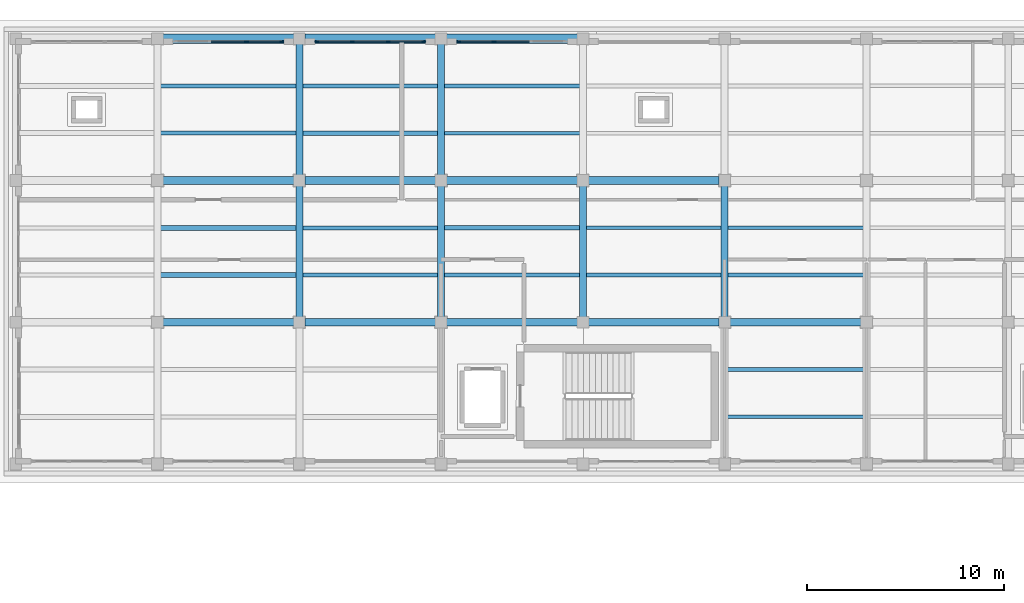
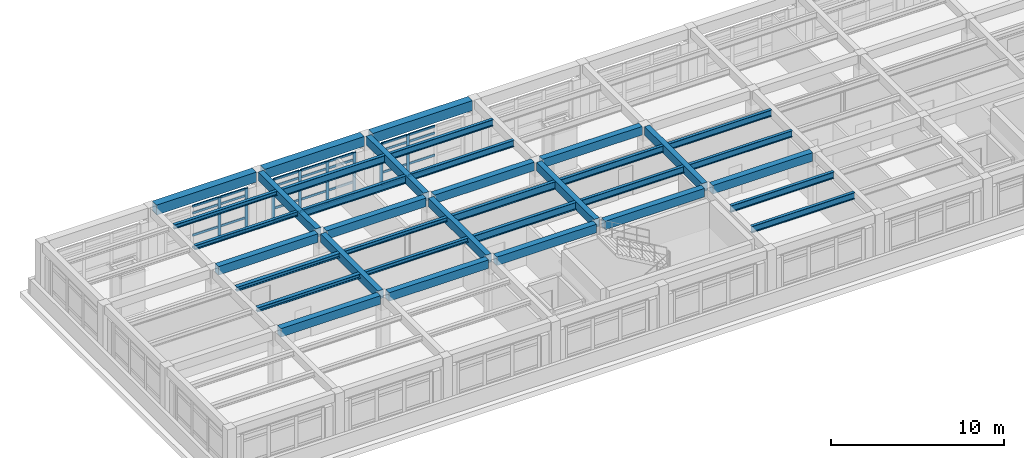
# One storey, part 5 of 19: 36 beams, 36 members, 3 elements without a shape of their own.
"""IFC4 building model written with IfcOpenShell, lengths in metres."""

from ifc_helpers import new_model, si_unit, direction, frame, origin, origin_2d, place, context, subcontext, project, spatial, rectangle, i_section, extrude, material, layer, layer_set, material_profile, profile_set, type_object, element, aggregate, save


model = new_model("IFC4")

# Units and contexts
model_context = context("Model", 3, precision=1e-05, world=origin(), true_north=direction((0.0, 1.0)))
body_context = subcontext(model_context, "Body", "Model", "MODEL_VIEW")
ifc_project = project(units=[si_unit("LENGTHUNIT", "METRE"), si_unit("AREAUNIT", "SQUARE_METRE"), si_unit("VOLUMEUNIT", "CUBIC_METRE"), si_unit("PLANEANGLEUNIT", "RADIAN"), si_unit("MASSUNIT", "GRAM", prefix="KILO")], contexts=[model_context])

# Site, building, storey
site_placement = place(None, origin())
site = spatial("IfcSite", under=ifc_project, at=site_placement, CompositionType="ELEMENT")
building_placement = place(site_placement, origin())
building = spatial("IfcBuilding", under=site, at=building_placement, Name="Solenvale Faculty of Natural Sciences", CompositionType="ELEMENT")
storey_placement = place(building_placement, frame((0.0, 0.0, 27.0)))
storey = spatial("IfcBuildingStorey", under=building, at=storey_placement, Name="L06", CompositionType="ELEMENT", Elevation=27.0)

# Beams
ifc_material_1 = material(Name="Concrete 40 MPa", Category="concrete")
ifc_material_profile_1 = material_profile(ifc_material_1, rectangle(XDim=0.35009765625, YDim=0.60009765625, at=origin_2d()), Name="RC-BM-350x600")
ifc_profile_set_1 = profile_set([ifc_material_profile_1], Name="Concrete 40 MPa")
beam_type_1 = type_object("IfcBeamType", Name="BM-RC-350x600", PredefinedType="BEAM", material=ifc_profile_set_1)
for number, where, z_axis, x_axis, name in (
    (1, (93.60009765625, 101.080078125, 3.6201171875), (0.0, 1.0, 0.0), (-1.0, 0.0, 0.0), "L06 Y-Girder X93.6 (100.8..108.0)"),
    (2, (93.60009765625, 108.280029296875, 3.6201171875), (0.0, 1.0, 0.0), (-1.0, 0.0, 0.0), "L06 Y-Girder X93.6 (108.0..115.2)"),
    (3, (100.800048828125, 101.080078125, 3.6201171875), (0.0, 1.0, 0.0), (-1.0, 0.0, 0.0), "L06 Y-Girder X100.8 (100.8..108.0)"),
    (4, (100.800048828125, 108.280029296875, 3.6201171875), (0.0, 1.0, 0.0), (-1.0, 0.0, 0.0), "L06 Y-Girder X100.8 (108.0..115.2)"),
    (5, (108.0, 101.080078125, 3.6201171875), (0.0, 1.0, 0.0), (-1.0, 0.0, 0.0), "L06 Y-Girder X108.0 (100.8..108.0)"),
    (6, (115.199951171875, 101.080078125, 3.6201171875), (0.0, 1.0, 0.0), (-1.0, 0.0, 0.0), "L06 Y-Girder X115.2 (100.8..108.0)"),
):
    element("IfcBeam", number, at=place(storey_placement, frame(where, z_axis=z_axis, x_axis=x_axis)), inside=storey, type_object=beam_type_1, Name=name, PredefinedType="BEAM", context=body_context, shape_type="SweptSolid", body=[
        extrude(rectangle(XDim=0.35009765625, YDim=0.60009765625, at=origin_2d()), origin(), (0.0, 0.0, 1.0), 6.639892578125),
    ])
ifc_material_profile_2 = material_profile(ifc_material_1, rectangle(XDim=0.39990234375, YDim=0.60009765625, at=origin_2d()), Name="RC-BM-400x600")
ifc_profile_set_2 = profile_set([ifc_material_profile_2], Name="Concrete 40 MPa")
beam_type_2 = type_object("IfcBeamType", Name="BM-RC-400x600", PredefinedType="BEAM", material=ifc_profile_set_2)
for number, where, z_axis, x_axis, name in (
    (7, (86.679931640625, 100.800048828125, 3.6201171875), (1.0, 0.0, 0.0), (0.0, 1.0, 0.0), "L06 X-Girder Y100.8 (86.4..93.6)"),
    (8, (93.8798828125, 100.800048828125, 3.6201171875), (1.0, 0.0, 0.0), (0.0, 1.0, 0.0), "L06 X-Girder Y100.8 (93.6..100.8)"),
):
    element("IfcBeam", number, at=place(storey_placement, frame(where, z_axis=z_axis, x_axis=x_axis)), inside=storey, type_object=beam_type_2, Name=name, PredefinedType="BEAM", context=body_context, shape_type="SweptSolid", body=[
        extrude(rectangle(XDim=0.39990234375, YDim=0.60009765625, at=origin_2d()), origin(), (0.0, 0.0, 1.0), 6.64013671875),
    ])
for number, where, z_axis, x_axis, name in (
    (9, (101.080078125, 100.800048828125, 3.6201171875), (1.0, 0.0, 0.0), (0.0, 1.0, 0.0), "L06 X-Girder Y100.8 (100.8..108.0)"),
    (10, (108.280029296875, 100.800048828125, 3.6201171875), (1.0, 0.0, 0.0), (0.0, 1.0, 0.0), "L06 X-Girder Y100.8 (108.0..115.2)"),
):
    element("IfcBeam", number, at=place(storey_placement, frame(where, z_axis=z_axis, x_axis=x_axis)), inside=storey, type_object=beam_type_2, Name=name, PredefinedType="BEAM", context=body_context, shape_type="SweptSolid", body=[
        extrude(rectangle(XDim=0.39990234375, YDim=0.60009765625, at=origin_2d()), origin(), (0.0, 0.0, 1.0), 6.639892578125),
    ])
for number, where, z_axis, x_axis, name in (
    (11, (115.47998046875, 100.800048828125, 3.6201171875), (1.0, 0.0, 0.0), (0.0, 1.0, 0.0), "L06 X-Girder Y100.8 (115.2..122.4)"),
    (12, (86.679931640625, 108.0, 3.6201171875), (1.0, 0.0, 0.0), (0.0, 1.0, 0.0), "L06 X-Girder Y108.0 (86.4..93.6)"),
    (13, (93.8798828125, 108.0, 3.6201171875), (1.0, 0.0, 0.0), (0.0, 1.0, 0.0), "L06 X-Girder Y108.0 (93.6..100.8)"),
):
    element("IfcBeam", number, at=place(storey_placement, frame(where, z_axis=z_axis, x_axis=x_axis)), inside=storey, type_object=beam_type_2, Name=name, PredefinedType="BEAM", context=body_context, shape_type="SweptSolid", body=[
        extrude(rectangle(XDim=0.39990234375, YDim=0.60009765625, at=origin_2d()), origin(), (0.0, 0.0, 1.0), 6.64013671875),
    ])
for number, where, z_axis, x_axis, name in (
    (14, (101.080078125, 108.0, 3.6201171875), (1.0, 0.0, 0.0), (0.0, 1.0, 0.0), "L06 X-Girder Y108.0 (100.8..108.0)"),
    (15, (108.280029296875, 108.0, 3.6201171875), (1.0, 0.0, 0.0), (0.0, 1.0, 0.0), "L06 X-Girder Y108.0 (108.0..115.2)"),
):
    element("IfcBeam", number, at=place(storey_placement, frame(where, z_axis=z_axis, x_axis=x_axis)), inside=storey, type_object=beam_type_2, Name=name, PredefinedType="BEAM", context=body_context, shape_type="SweptSolid", body=[
        extrude(rectangle(XDim=0.39990234375, YDim=0.60009765625, at=origin_2d()), origin(), (0.0, 0.0, 1.0), 6.639892578125),
    ])
ifc_material_2 = material(Name="Precast concrete 40 MPa", Category="concrete")
ifc_material_profile_3 = material_profile(ifc_material_2, rectangle(XDim=0.5, YDim=0.699951171875, at=origin_2d()), Name="RC-BM-500x700")
ifc_profile_set_3 = profile_set([ifc_material_profile_3], Name="Precast concrete 40 MPa")
beam_type_3 = type_object("IfcBeamType", Name="BM-SPN-PRC-700", PredefinedType="SPANDREL", material=ifc_profile_set_3)
for number, where, z_axis, x_axis, name in (
    (16, (86.679931640625, 115.199951171875, 3.570068359375), (1.0, 0.0, 0.0), (0.0, 1.0, 0.0), "L06 X-Girder Y115.2 (86.4..93.6)"),
    (17, (93.8798828125, 115.199951171875, 3.570068359375), (1.0, 0.0, 0.0), (0.0, 1.0, 0.0), "L06 X-Girder Y115.2 (93.6..100.8)"),
):
    element("IfcBeam", number, at=place(storey_placement, frame(where, z_axis=z_axis, x_axis=x_axis)), inside=storey, type_object=beam_type_3, Name=name, PredefinedType="SPANDREL", context=body_context, shape_type="SweptSolid", body=[
        extrude(rectangle(XDim=0.5, YDim=0.699951171875, at=origin_2d()), origin(), (0.0, 0.0, 1.0), 6.64013671875),
    ])
beam_placement = place(storey_placement, frame((101.080078125, 115.199951171875, 3.570068359375), z_axis=(1.0, 0.0, 0.0), x_axis=(0.0, 1.0, 0.0)))
element("IfcBeam", 18, at=beam_placement, inside=storey, type_object=beam_type_3, Name="L06 X-Girder Y115.2 (100.8..108.0)", PredefinedType="SPANDREL", context=body_context, shape_type="SweptSolid", body=[
    extrude(rectangle(XDim=0.5, YDim=0.699951171875, at=origin_2d()), origin(), (0.0, 0.0, 1.0), 6.639892578125),
])
ifc_material_3 = material(Name="Steel S355", Category="steel")
ifc_material_profile_4 = material_profile(ifc_material_3, i_section(OverallWidth=0.202880859375, OverallDepth=0.302978515625, WebThickness=0.007568359375, FlangeThickness=0.01318359375, FilletRadius=0.014892578125, at=origin_2d()), Name="W310x60")
ifc_profile_set_4 = profile_set([ifc_material_profile_4], Name="Steel S355")
beam_type_4 = type_object("IfcBeamType", Name="BM-STL-W310x60", PredefinedType="JOIST", material=ifc_profile_set_4)
for number, where, z_axis, x_axis, name in (
    (19, (86.554931640625, 110.39990234375, 3.7685546875), (1.0, 0.0, 0.0), (0.0, 1.0, 0.0), "L06 Composite Floor Joist (13,16).1"),
    (20, (86.554931640625, 112.800048828125, 3.7685546875), (1.0, 0.0, 0.0), (0.0, 1.0, 0.0), "L06 Composite Floor Joist (13,16).2"),
    (21, (93.7548828125, 103.199951171875, 3.7685546875), (1.0, 0.0, 0.0), (0.0, 1.0, 0.0), "L06 Composite Floor Joist (14,15).1"),
    (22, (93.7548828125, 105.60009765625, 3.7685546875), (1.0, 0.0, 0.0), (0.0, 1.0, 0.0), "L06 Composite Floor Joist (14,15).2"),
):
    element("IfcBeam", number, at=place(storey_placement, frame(where, z_axis=z_axis, x_axis=x_axis)), inside=storey, type_object=beam_type_4, Name=name, PredefinedType="JOIST", context=body_context, shape_type="SweptSolid", body=[
        extrude(i_section(OverallWidth=0.202880859375, OverallDepth=0.302978515625, WebThickness=0.007568359375, FlangeThickness=0.01318359375, FilletRadius=0.014892578125, at=origin_2d()), origin(), (0.0, 0.0, 1.0), 6.89013671875),
    ])
ifc_material_profile_5 = material_profile(ifc_material_3, i_section(OverallWidth=0.25390625, OverallDepth=0.305908203125, WebThickness=0.0087890625, FlangeThickness=0.0146484375, FilletRadius=0.014892578125, at=origin_2d()), Name="W310x79")
ifc_profile_set_5 = profile_set([ifc_material_profile_5], Name="Steel S355")
beam_type_5 = type_object("IfcBeamType", Name="BM-STL-W310x79", PredefinedType="JOIST", material=ifc_profile_set_5)
for number, where, z_axis, x_axis, name in (
    (23, (86.554931640625, 103.199951171875, 3.76708984375), (1.0, 0.0, 0.0), (0.0, 1.0, 0.0), "L06 Composite Floor Joist (13,15).1"),
    (24, (86.554931640625, 105.60009765625, 3.76708984375), (1.0, 0.0, 0.0), (0.0, 1.0, 0.0), "L06 Composite Floor Joist (13,15).2"),
):
    element("IfcBeam", number, at=place(storey_placement, frame(where, z_axis=z_axis, x_axis=x_axis)), inside=storey, type_object=beam_type_5, Name=name, PredefinedType="JOIST", context=body_context, shape_type="SweptSolid", body=[
        extrude(i_section(OverallWidth=0.25390625, OverallDepth=0.305908203125, WebThickness=0.0087890625, FlangeThickness=0.0146484375, FilletRadius=0.014892578125, at=origin_2d()), origin(), (0.0, 0.0, 1.0), 6.89013671875),
    ])
ifc_material_profile_6 = material_profile(ifc_material_3, i_section(OverallWidth=0.194091796875, OverallDepth=0.468994140625, WebThickness=0.0126953125, FlangeThickness=0.0205078125, FilletRadius=0.01806640625, at=origin_2d()), Name="W460x106")
ifc_profile_set_6 = profile_set([ifc_material_profile_6], Name="Steel S355")
beam_type_6 = type_object("IfcBeamType", Name="BM-STL-W460x106", PredefinedType="JOIST", material=ifc_profile_set_6)
for number, where, z_axis, x_axis, name in (
    (25, (100.955078125, 110.39990234375, 3.685546875), (1.0, 0.0, 0.0), (0.0, 1.0, 0.0), "L06 Composite Floor Joist (15,16).1"),
    (26, (100.955078125, 112.800048828125, 3.685546875), (1.0, 0.0, 0.0), (0.0, 1.0, 0.0), "L06 Composite Floor Joist (15,16).2"),
    (27, (108.155029296875, 103.199951171875, 3.685546875), (1.0, 0.0, 0.0), (0.0, 1.0, 0.0), "L06 Composite Floor Joist (16,15).1"),
    (28, (108.155029296875, 105.60009765625, 3.685546875), (1.0, 0.0, 0.0), (0.0, 1.0, 0.0), "L06 Composite Floor Joist (16,15).2"),
):
    element("IfcBeam", number, at=place(storey_placement, frame(where, z_axis=z_axis, x_axis=x_axis)), inside=storey, type_object=beam_type_6, Name=name, PredefinedType="JOIST", context=body_context, shape_type="SweptSolid", body=[
        extrude(i_section(OverallWidth=0.194091796875, OverallDepth=0.468994140625, WebThickness=0.0126953125, FlangeThickness=0.0205078125, FilletRadius=0.01806640625, at=origin_2d()), origin(), (0.0, 0.0, 1.0), 6.889892578125),
    ])
for number, where, z_axis, x_axis, name in (
    (29, (115.35498046875, 96.0, 3.685546875), (1.0, 0.0, 0.0), (0.0, 1.0, 0.0), "L06 Composite Floor Joist (17,14).1"),
    (30, (115.35498046875, 98.39990234375, 3.685546875), (1.0, 0.0, 0.0), (0.0, 1.0, 0.0), "L06 Composite Floor Joist (17,14).2"),
):
    element("IfcBeam", number, at=place(storey_placement, frame(where, z_axis=z_axis, x_axis=x_axis)), inside=storey, type_object=beam_type_6, Name=name, PredefinedType="JOIST", context=body_context, shape_type="SweptSolid", body=[
        extrude(i_section(OverallWidth=0.194091796875, OverallDepth=0.468994140625, WebThickness=0.0126953125, FlangeThickness=0.0205078125, FilletRadius=0.01806640625, at=origin_2d()), origin(), (0.0, 0.0, 1.0), 6.89013671875),
    ])
ifc_material_profile_7 = material_profile(ifc_material_3, i_section(OverallWidth=0.19091796875, OverallDepth=0.4599609375, WebThickness=0.010009765625, FlangeThickness=0.01611328125, FilletRadius=0.01806640625, at=origin_2d()), Name="W460x82")
ifc_profile_set_7 = profile_set([ifc_material_profile_7], Name="Steel S355")
beam_type_7 = type_object("IfcBeamType", Name="BM-STL-W460x82", PredefinedType="JOIST", material=ifc_profile_set_7)
for number, where, z_axis, x_axis, name in (
    (31, (115.35498046875, 103.199951171875, 3.68994140625), (1.0, 0.0, 0.0), (0.0, 1.0, 0.0), "L06 Composite Floor Joist (17,15).1"),
    (32, (115.35498046875, 105.60009765625, 3.68994140625), (1.0, 0.0, 0.0), (0.0, 1.0, 0.0), "L06 Composite Floor Joist (17,15).2"),
):
    element("IfcBeam", number, at=place(storey_placement, frame(where, z_axis=z_axis, x_axis=x_axis)), inside=storey, type_object=beam_type_7, Name=name, PredefinedType="JOIST", context=body_context, shape_type="SweptSolid", body=[
        extrude(i_section(OverallWidth=0.19091796875, OverallDepth=0.4599609375, WebThickness=0.010009765625, FlangeThickness=0.01611328125, FilletRadius=0.01806640625, at=origin_2d()), origin(), (0.0, 0.0, 1.0), 6.89013671875),
    ])
ifc_material_profile_8 = material_profile(ifc_material_3, i_section(OverallWidth=0.208984375, OverallDepth=0.532958984375, WebThickness=0.01025390625, FlangeThickness=0.015625, FilletRadius=0.01904296875, at=origin_2d()), Name="W530x92")
ifc_profile_set_8 = profile_set([ifc_material_profile_8], Name="Steel S355")
beam_type_8 = type_object("IfcBeamType", Name="BM-STL-W530x92", PredefinedType="JOIST", material=ifc_profile_set_8)
for number, where, z_axis, x_axis, name in (
    (33, (93.7548828125, 110.39990234375, 3.653564453125), (1.0, 0.0, 0.0), (0.0, 1.0, 0.0), "L06 Composite Floor Joist (14,16).1"),
    (34, (93.7548828125, 112.800048828125, 3.653564453125), (1.0, 0.0, 0.0), (0.0, 1.0, 0.0), "L06 Composite Floor Joist (14,16).2"),
):
    element("IfcBeam", number, at=place(storey_placement, frame(where, z_axis=z_axis, x_axis=x_axis)), inside=storey, type_object=beam_type_8, Name=name, PredefinedType="JOIST", context=body_context, shape_type="SweptSolid", body=[
        extrude(i_section(OverallWidth=0.208984375, OverallDepth=0.532958984375, WebThickness=0.01025390625, FlangeThickness=0.015625, FilletRadius=0.01904296875, at=origin_2d()), origin(), (0.0, 0.0, 1.0), 6.89013671875),
    ])
for number, where, z_axis, x_axis, name in (
    (35, (100.955078125, 103.199951171875, 3.653564453125), (1.0, 0.0, 0.0), (0.0, 1.0, 0.0), "L06 Composite Floor Joist (15,15).1"),
    (36, (100.955078125, 105.60009765625, 3.653564453125), (1.0, 0.0, 0.0), (0.0, 1.0, 0.0), "L06 Composite Floor Joist (15,15).2"),
):
    element("IfcBeam", number, at=place(storey_placement, frame(where, z_axis=z_axis, x_axis=x_axis)), inside=storey, type_object=beam_type_8, Name=name, PredefinedType="JOIST", context=body_context, shape_type="SweptSolid", body=[
        extrude(i_section(OverallWidth=0.208984375, OverallDepth=0.532958984375, WebThickness=0.01025390625, FlangeThickness=0.015625, FilletRadius=0.01904296875, at=origin_2d()), origin(), (0.0, 0.0, 1.0), 6.889892578125),
    ])

# Curtain wall, members
ifc_material_4 = material(Name="Anodised bronze aluminium", Category="aluminium")
ifc_layer = layer(ifc_material_4, 0.179931640625)
ifc_layer_set = layer_set([ifc_layer], Name="Anodised bronze aluminium")
curtain_wall_type = type_object("IfcCurtainWallType", Name="CW-TWR-MOD", PredefinedType="USERDEFINED", material=ifc_layer_set)
curtain_wall_1_placement = place(storey_placement, origin())
curtain_wall_1 = element("IfcCurtainWall", 37, at=curtain_wall_1_placement, inside=storey, type_object=curtain_wall_type, Name="L06 Curtain Wall CW-L06-P1-E2-B7", ObjectType="UNITISED CURTAIN WALL", PredefinedType="USERDEFINED")
ifc_material_profile_9 = material_profile(ifc_material_4, rectangle(XDim=0.074951171875, YDim=0.2099609375, at=origin_2d()), Name="ALU-MUL-75x210")
ifc_profile_set_9 = profile_set([ifc_material_profile_9], Name="Anodised bronze aluminium")
member_type_1 = type_object("IfcMemberType", Name="CWM-ALU-75x210", PredefinedType="MULLION", material=ifc_profile_set_9)
member_1_placement = place(storey_placement, frame((103.4833984375, 115.0576171875, 0.0), z_axis=(0.0, 0.0, 1.0), x_axis=(0.0, -1.0, 0.0)))
member_1 = element("IfcMember", 38, at=member_1_placement, type_object=member_type_1, Name="CW-04 mullion 3", PredefinedType="MULLION", context=body_context, shape_type="SweptSolid", body=[
    extrude(rectangle(XDim=0.074951171875, YDim=0.2099609375, at=origin_2d()), origin(), (0.0, 0.0, 1.0), 2.9599609375),
])
member_2_placement = place(storey_placement, frame((101.6875, 115.0576171875, 0.0), z_axis=(0.0, 0.0, 1.0), x_axis=(0.0, -1.0, 0.0)))
member_2 = element("IfcMember", 39, at=member_2_placement, type_object=member_type_1, Name="CW-04 mullion 4", PredefinedType="MULLION", context=body_context, shape_type="SweptSolid", body=[
    extrude(rectangle(XDim=0.074951171875, YDim=0.2099609375, at=origin_2d()), origin(), (0.0, 0.0, 1.0), 2.9599609375),
])

curtain_wall_2_placement = place(storey_placement, origin())
curtain_wall_2 = element("IfcCurtainWall", 40, at=curtain_wall_2_placement, inside=storey, type_object=curtain_wall_type, Name="L06 Curtain Wall CW-L06-P1-E2-B8", ObjectType="UNITISED CURTAIN WALL", PredefinedType="USERDEFINED")
member_3_placement = place(storey_placement, frame((99.91259765625, 115.0576171875, 0.0), z_axis=(0.0, 0.0, 1.0), x_axis=(0.0, -1.0, 0.0)))
member_3 = element("IfcMember", 41, at=member_3_placement, type_object=member_type_1, Name="CW-04 mullion 1", PredefinedType="MULLION", context=body_context, shape_type="SweptSolid", body=[
    extrude(rectangle(XDim=0.074951171875, YDim=0.2099609375, at=origin_2d()), origin(), (0.0, 0.0, 1.0), 2.9599609375),
])
member_4_placement = place(storey_placement, frame((98.11669921875, 115.0576171875, 0.0), z_axis=(0.0, 0.0, 1.0), x_axis=(0.0, -1.0, 0.0)))
member_4 = element("IfcMember", 42, at=member_4_placement, type_object=member_type_1, Name="CW-04 mullion 2", PredefinedType="MULLION", context=body_context, shape_type="SweptSolid", body=[
    extrude(rectangle(XDim=0.074951171875, YDim=0.2099609375, at=origin_2d()), origin(), (0.0, 0.0, 1.0), 2.9599609375),
])
member_5_placement = place(storey_placement, frame((96.283447265625, 115.0576171875, 0.0), z_axis=(0.0, 0.0, 1.0), x_axis=(0.0, -1.0, 0.0)))
member_5 = element("IfcMember", 43, at=member_5_placement, type_object=member_type_1, Name="CW-04 mullion 3", PredefinedType="MULLION", context=body_context, shape_type="SweptSolid", body=[
    extrude(rectangle(XDim=0.074951171875, YDim=0.2099609375, at=origin_2d()), origin(), (0.0, 0.0, 1.0), 2.9599609375),
])
member_6_placement = place(storey_placement, frame((94.487548828125, 115.0576171875, 0.0), z_axis=(0.0, 0.0, 1.0), x_axis=(0.0, -1.0, 0.0)))
member_6 = element("IfcMember", 44, at=member_6_placement, type_object=member_type_1, Name="CW-04 mullion 4", PredefinedType="MULLION", context=body_context, shape_type="SweptSolid", body=[
    extrude(rectangle(XDim=0.074951171875, YDim=0.2099609375, at=origin_2d()), origin(), (0.0, 0.0, 1.0), 2.9599609375),
])

curtain_wall_3_placement = place(storey_placement, origin())
curtain_wall_3 = element("IfcCurtainWall", 45, at=curtain_wall_3_placement, inside=storey, type_object=curtain_wall_type, Name="L06 Curtain Wall CW-L06-P1-E2-B9", ObjectType="UNITISED CURTAIN WALL", PredefinedType="USERDEFINED")
member_7_placement = place(storey_placement, frame((92.71240234375, 115.0576171875, 0.0), z_axis=(0.0, 0.0, 1.0), x_axis=(0.0, -1.0, 0.0)))
member_7 = element("IfcMember", 46, at=member_7_placement, type_object=member_type_1, Name="CW-04 mullion 1", PredefinedType="MULLION", context=body_context, shape_type="SweptSolid", body=[
    extrude(rectangle(XDim=0.074951171875, YDim=0.2099609375, at=origin_2d()), origin(), (0.0, 0.0, 1.0), 2.9599609375),
])
member_8_placement = place(storey_placement, frame((90.916748046875, 115.0576171875, 0.0), z_axis=(0.0, 0.0, 1.0), x_axis=(0.0, -1.0, 0.0)))
member_8 = element("IfcMember", 47, at=member_8_placement, type_object=member_type_1, Name="CW-04 mullion 2", PredefinedType="MULLION", context=body_context, shape_type="SweptSolid", body=[
    extrude(rectangle(XDim=0.074951171875, YDim=0.2099609375, at=origin_2d()), origin(), (0.0, 0.0, 1.0), 2.9599609375),
])

# Member
ifc_material_profile_10 = material_profile(ifc_material_4, rectangle(XDim=0.074951171875, YDim=0.155029296875, at=origin_2d()), Name="ALU-TRN-75x155")
ifc_profile_set_10 = profile_set([ifc_material_profile_10], Name="Anodised bronze aluminium")
member_type_2 = type_object("IfcMemberType", Name="CWT-ALU-75x155", PredefinedType="USERDEFINED", material=ifc_profile_set_10)
member_9_placement = place(storey_placement, frame((105.279052734375, 115.0576171875, 0.03759765625), z_axis=(-1.0, 0.0, 0.0), x_axis=(0.0, -1.0, 0.0)))
member_9 = element("IfcMember", 48, at=member_9_placement, type_object=member_type_2, Name="CW-04 transom 2.1", ObjectType="TRANSOM", PredefinedType="USERDEFINED", context=body_context, shape_type="SweptSolid", body=[
    extrude(rectangle(XDim=0.074951171875, YDim=0.155029296875, at=origin_2d()), origin(), (0.0, 0.0, 1.0), 1.75830078125),
])

member_10_placement = place(storey_placement, frame((105.279052734375, 115.0576171875, 0.89990234375), z_axis=(-1.0, 0.0, 0.0), x_axis=(0.0, -1.0, 0.0)))
member_10 = element("IfcMember", 49, at=member_10_placement, type_object=member_type_2, Name="CW-04 transom 2.2", ObjectType="TRANSOM", PredefinedType="USERDEFINED", context=body_context, shape_type="SweptSolid", body=[
    extrude(rectangle(XDim=0.074951171875, YDim=0.155029296875, at=origin_2d()), origin(), (0.0, 0.0, 1.0), 1.75830078125),
])

member_11_placement = place(storey_placement, frame((105.279052734375, 115.0576171875, 2.4599609375), z_axis=(-1.0, 0.0, 0.0), x_axis=(0.0, -1.0, 0.0)))
member_11 = element("IfcMember", 50, at=member_11_placement, type_object=member_type_2, Name="CW-04 transom 2.3", ObjectType="TRANSOM", PredefinedType="USERDEFINED", context=body_context, shape_type="SweptSolid", body=[
    extrude(rectangle(XDim=0.074951171875, YDim=0.155029296875, at=origin_2d()), origin(), (0.0, 0.0, 1.0), 1.75830078125),
])

member_12_placement = place(storey_placement, frame((105.279052734375, 115.0576171875, 2.922607421875), z_axis=(-1.0, 0.0, 0.0), x_axis=(0.0, -1.0, 0.0)))
member_12 = element("IfcMember", 51, at=member_12_placement, type_object=member_type_2, Name="CW-04 transom 2.4", ObjectType="TRANSOM", PredefinedType="USERDEFINED", context=body_context, shape_type="SweptSolid", body=[
    extrude(rectangle(XDim=0.074951171875, YDim=0.155029296875, at=origin_2d()), origin(), (0.0, 0.0, 1.0), 1.75830078125),
])

member_13_placement = place(storey_placement, frame((103.44580078125, 115.0576171875, 0.03759765625), z_axis=(-1.0, 0.0, 0.0), x_axis=(0.0, -1.0, 0.0)))
member_13 = element("IfcMember", 52, at=member_13_placement, type_object=member_type_2, Name="CW-04 transom 3.1", ObjectType="TRANSOM", PredefinedType="USERDEFINED", context=body_context, shape_type="SweptSolid", body=[
    extrude(rectangle(XDim=0.074951171875, YDim=0.155029296875, at=origin_2d()), origin(), (0.0, 0.0, 1.0), 1.720703125),
])

member_14_placement = place(storey_placement, frame((103.44580078125, 115.0576171875, 0.89990234375), z_axis=(-1.0, 0.0, 0.0), x_axis=(0.0, -1.0, 0.0)))
member_14 = element("IfcMember", 53, at=member_14_placement, type_object=member_type_2, Name="CW-04 transom 3.2", ObjectType="TRANSOM", PredefinedType="USERDEFINED", context=body_context, shape_type="SweptSolid", body=[
    extrude(rectangle(XDim=0.074951171875, YDim=0.155029296875, at=origin_2d()), origin(), (0.0, 0.0, 1.0), 1.720703125),
])

member_15_placement = place(storey_placement, frame((103.44580078125, 115.0576171875, 2.4599609375), z_axis=(-1.0, 0.0, 0.0), x_axis=(0.0, -1.0, 0.0)))
member_15 = element("IfcMember", 54, at=member_15_placement, type_object=member_type_2, Name="CW-04 transom 3.3", ObjectType="TRANSOM", PredefinedType="USERDEFINED", context=body_context, shape_type="SweptSolid", body=[
    extrude(rectangle(XDim=0.074951171875, YDim=0.155029296875, at=origin_2d()), origin(), (0.0, 0.0, 1.0), 1.720703125),
])

member_16_placement = place(storey_placement, frame((103.44580078125, 115.0576171875, 2.922607421875), z_axis=(-1.0, 0.0, 0.0), x_axis=(0.0, -1.0, 0.0)))
member_16 = element("IfcMember", 55, at=member_16_placement, type_object=member_type_2, Name="CW-04 transom 3.4", ObjectType="TRANSOM", PredefinedType="USERDEFINED", context=body_context, shape_type="SweptSolid", body=[
    extrude(rectangle(XDim=0.074951171875, YDim=0.155029296875, at=origin_2d()), origin(), (0.0, 0.0, 1.0), 1.720703125),
])

aggregate(curtain_wall_1, [member_1, member_2, member_9, member_10, member_11, member_12, member_13, member_14, member_15, member_16])

member_17_placement = place(storey_placement, frame((99.875, 115.0576171875, 0.03759765625), z_axis=(-1.0, 0.0, 0.0), x_axis=(0.0, -1.0, 0.0)))
member_17 = element("IfcMember", 56, at=member_17_placement, type_object=member_type_2, Name="CW-04 transom 1.1", ObjectType="TRANSOM", PredefinedType="USERDEFINED", context=body_context, shape_type="SweptSolid", body=[
    extrude(rectangle(XDim=0.074951171875, YDim=0.155029296875, at=origin_2d()), origin(), (0.0, 0.0, 1.0), 1.720947265625),
])

member_18_placement = place(storey_placement, frame((99.875, 115.0576171875, 0.89990234375), z_axis=(-1.0, 0.0, 0.0), x_axis=(0.0, -1.0, 0.0)))
member_18 = element("IfcMember", 57, at=member_18_placement, type_object=member_type_2, Name="CW-04 transom 1.2", ObjectType="TRANSOM", PredefinedType="USERDEFINED", context=body_context, shape_type="SweptSolid", body=[
    extrude(rectangle(XDim=0.074951171875, YDim=0.155029296875, at=origin_2d()), origin(), (0.0, 0.0, 1.0), 1.720947265625),
])

member_19_placement = place(storey_placement, frame((99.875, 115.0576171875, 2.4599609375), z_axis=(-1.0, 0.0, 0.0), x_axis=(0.0, -1.0, 0.0)))
member_19 = element("IfcMember", 58, at=member_19_placement, type_object=member_type_2, Name="CW-04 transom 1.3", ObjectType="TRANSOM", PredefinedType="USERDEFINED", context=body_context, shape_type="SweptSolid", body=[
    extrude(rectangle(XDim=0.074951171875, YDim=0.155029296875, at=origin_2d()), origin(), (0.0, 0.0, 1.0), 1.720947265625),
])

member_20_placement = place(storey_placement, frame((99.875, 115.0576171875, 2.922607421875), z_axis=(-1.0, 0.0, 0.0), x_axis=(0.0, -1.0, 0.0)))
member_20 = element("IfcMember", 59, at=member_20_placement, type_object=member_type_2, Name="CW-04 transom 1.4", ObjectType="TRANSOM", PredefinedType="USERDEFINED", context=body_context, shape_type="SweptSolid", body=[
    extrude(rectangle(XDim=0.074951171875, YDim=0.155029296875, at=origin_2d()), origin(), (0.0, 0.0, 1.0), 1.720947265625),
])

member_21_placement = place(storey_placement, frame((98.0791015625, 115.0576171875, 0.03759765625), z_axis=(-1.0, 0.0, 0.0), x_axis=(0.0, -1.0, 0.0)))
member_21 = element("IfcMember", 60, at=member_21_placement, type_object=member_type_2, Name="CW-04 transom 2.1", ObjectType="TRANSOM", PredefinedType="USERDEFINED", context=body_context, shape_type="SweptSolid", body=[
    extrude(rectangle(XDim=0.074951171875, YDim=0.155029296875, at=origin_2d()), origin(), (0.0, 0.0, 1.0), 1.75830078125),
])

member_22_placement = place(storey_placement, frame((98.0791015625, 115.0576171875, 0.89990234375), z_axis=(-1.0, 0.0, 0.0), x_axis=(0.0, -1.0, 0.0)))
member_22 = element("IfcMember", 61, at=member_22_placement, type_object=member_type_2, Name="CW-04 transom 2.2", ObjectType="TRANSOM", PredefinedType="USERDEFINED", context=body_context, shape_type="SweptSolid", body=[
    extrude(rectangle(XDim=0.074951171875, YDim=0.155029296875, at=origin_2d()), origin(), (0.0, 0.0, 1.0), 1.75830078125),
])

member_23_placement = place(storey_placement, frame((98.0791015625, 115.0576171875, 2.4599609375), z_axis=(-1.0, 0.0, 0.0), x_axis=(0.0, -1.0, 0.0)))
member_23 = element("IfcMember", 62, at=member_23_placement, type_object=member_type_2, Name="CW-04 transom 2.3", ObjectType="TRANSOM", PredefinedType="USERDEFINED", context=body_context, shape_type="SweptSolid", body=[
    extrude(rectangle(XDim=0.074951171875, YDim=0.155029296875, at=origin_2d()), origin(), (0.0, 0.0, 1.0), 1.75830078125),
])

member_24_placement = place(storey_placement, frame((98.0791015625, 115.0576171875, 2.922607421875), z_axis=(-1.0, 0.0, 0.0), x_axis=(0.0, -1.0, 0.0)))
member_24 = element("IfcMember", 63, at=member_24_placement, type_object=member_type_2, Name="CW-04 transom 2.4", ObjectType="TRANSOM", PredefinedType="USERDEFINED", context=body_context, shape_type="SweptSolid", body=[
    extrude(rectangle(XDim=0.074951171875, YDim=0.155029296875, at=origin_2d()), origin(), (0.0, 0.0, 1.0), 1.75830078125),
])

member_25_placement = place(storey_placement, frame((96.245849609375, 115.0576171875, 0.03759765625), z_axis=(-1.0, 0.0, 0.0), x_axis=(0.0, -1.0, 0.0)))
member_25 = element("IfcMember", 64, at=member_25_placement, type_object=member_type_2, Name="CW-04 transom 3.1", ObjectType="TRANSOM", PredefinedType="USERDEFINED", context=body_context, shape_type="SweptSolid", body=[
    extrude(rectangle(XDim=0.074951171875, YDim=0.155029296875, at=origin_2d()), origin(), (0.0, 0.0, 1.0), 1.720947265625),
])

member_26_placement = place(storey_placement, frame((96.245849609375, 115.0576171875, 0.89990234375), z_axis=(-1.0, 0.0, 0.0), x_axis=(0.0, -1.0, 0.0)))
member_26 = element("IfcMember", 65, at=member_26_placement, type_object=member_type_2, Name="CW-04 transom 3.2", ObjectType="TRANSOM", PredefinedType="USERDEFINED", context=body_context, shape_type="SweptSolid", body=[
    extrude(rectangle(XDim=0.074951171875, YDim=0.155029296875, at=origin_2d()), origin(), (0.0, 0.0, 1.0), 1.720947265625),
])

member_27_placement = place(storey_placement, frame((96.245849609375, 115.0576171875, 2.4599609375), z_axis=(-1.0, 0.0, 0.0), x_axis=(0.0, -1.0, 0.0)))
member_27 = element("IfcMember", 66, at=member_27_placement, type_object=member_type_2, Name="CW-04 transom 3.3", ObjectType="TRANSOM", PredefinedType="USERDEFINED", context=body_context, shape_type="SweptSolid", body=[
    extrude(rectangle(XDim=0.074951171875, YDim=0.155029296875, at=origin_2d()), origin(), (0.0, 0.0, 1.0), 1.720947265625),
])

member_28_placement = place(storey_placement, frame((96.245849609375, 115.0576171875, 2.922607421875), z_axis=(-1.0, 0.0, 0.0), x_axis=(0.0, -1.0, 0.0)))
member_28 = element("IfcMember", 67, at=member_28_placement, type_object=member_type_2, Name="CW-04 transom 3.4", ObjectType="TRANSOM", PredefinedType="USERDEFINED", context=body_context, shape_type="SweptSolid", body=[
    extrude(rectangle(XDim=0.074951171875, YDim=0.155029296875, at=origin_2d()), origin(), (0.0, 0.0, 1.0), 1.720947265625),
])

aggregate(curtain_wall_2, [member_3, member_4, member_5, member_6, member_17, member_18, member_19, member_20, member_21, member_22, member_23, member_24, member_25, member_26, member_27, member_28])

member_29_placement = place(storey_placement, frame((92.675048828125, 115.0576171875, 0.03759765625), z_axis=(-1.0, 0.0, 0.0), x_axis=(0.0, -1.0, 0.0)))
member_29 = element("IfcMember", 68, at=member_29_placement, type_object=member_type_2, Name="CW-04 transom 1.1", ObjectType="TRANSOM", PredefinedType="USERDEFINED", context=body_context, shape_type="SweptSolid", body=[
    extrude(rectangle(XDim=0.074951171875, YDim=0.155029296875, at=origin_2d()), origin(), (0.0, 0.0, 1.0), 1.720947265625),
])

member_30_placement = place(storey_placement, frame((92.675048828125, 115.0576171875, 0.89990234375), z_axis=(-1.0, 0.0, 0.0), x_axis=(0.0, -1.0, 0.0)))
member_30 = element("IfcMember", 69, at=member_30_placement, type_object=member_type_2, Name="CW-04 transom 1.2", ObjectType="TRANSOM", PredefinedType="USERDEFINED", context=body_context, shape_type="SweptSolid", body=[
    extrude(rectangle(XDim=0.074951171875, YDim=0.155029296875, at=origin_2d()), origin(), (0.0, 0.0, 1.0), 1.720947265625),
])

member_31_placement = place(storey_placement, frame((92.675048828125, 115.0576171875, 2.4599609375), z_axis=(-1.0, 0.0, 0.0), x_axis=(0.0, -1.0, 0.0)))
member_31 = element("IfcMember", 70, at=member_31_placement, type_object=member_type_2, Name="CW-04 transom 1.3", ObjectType="TRANSOM", PredefinedType="USERDEFINED", context=body_context, shape_type="SweptSolid", body=[
    extrude(rectangle(XDim=0.074951171875, YDim=0.155029296875, at=origin_2d()), origin(), (0.0, 0.0, 1.0), 1.720947265625),
])

member_32_placement = place(storey_placement, frame((92.675048828125, 115.0576171875, 2.922607421875), z_axis=(-1.0, 0.0, 0.0), x_axis=(0.0, -1.0, 0.0)))
member_32 = element("IfcMember", 71, at=member_32_placement, type_object=member_type_2, Name="CW-04 transom 1.4", ObjectType="TRANSOM", PredefinedType="USERDEFINED", context=body_context, shape_type="SweptSolid", body=[
    extrude(rectangle(XDim=0.074951171875, YDim=0.155029296875, at=origin_2d()), origin(), (0.0, 0.0, 1.0), 1.720947265625),
])

member_33_placement = place(storey_placement, frame((90.879150390625, 115.0576171875, 0.03759765625), z_axis=(-1.0, 0.0, 0.0), x_axis=(0.0, -1.0, 0.0)))
member_33 = element("IfcMember", 72, at=member_33_placement, type_object=member_type_2, Name="CW-04 transom 2.1", ObjectType="TRANSOM", PredefinedType="USERDEFINED", context=body_context, shape_type="SweptSolid", body=[
    extrude(rectangle(XDim=0.074951171875, YDim=0.155029296875, at=origin_2d()), origin(), (0.0, 0.0, 1.0), 1.75830078125),
])

member_34_placement = place(storey_placement, frame((90.879150390625, 115.0576171875, 0.89990234375), z_axis=(-1.0, 0.0, 0.0), x_axis=(0.0, -1.0, 0.0)))
member_34 = element("IfcMember", 73, at=member_34_placement, type_object=member_type_2, Name="CW-04 transom 2.2", ObjectType="TRANSOM", PredefinedType="USERDEFINED", context=body_context, shape_type="SweptSolid", body=[
    extrude(rectangle(XDim=0.074951171875, YDim=0.155029296875, at=origin_2d()), origin(), (0.0, 0.0, 1.0), 1.75830078125),
])

member_35_placement = place(storey_placement, frame((90.879150390625, 115.0576171875, 2.4599609375), z_axis=(-1.0, 0.0, 0.0), x_axis=(0.0, -1.0, 0.0)))
member_35 = element("IfcMember", 74, at=member_35_placement, type_object=member_type_2, Name="CW-04 transom 2.3", ObjectType="TRANSOM", PredefinedType="USERDEFINED", context=body_context, shape_type="SweptSolid", body=[
    extrude(rectangle(XDim=0.074951171875, YDim=0.155029296875, at=origin_2d()), origin(), (0.0, 0.0, 1.0), 1.75830078125),
])

member_36_placement = place(storey_placement, frame((90.879150390625, 115.0576171875, 2.922607421875), z_axis=(-1.0, 0.0, 0.0), x_axis=(0.0, -1.0, 0.0)))
member_36 = element("IfcMember", 75, at=member_36_placement, type_object=member_type_2, Name="CW-04 transom 2.4", ObjectType="TRANSOM", PredefinedType="USERDEFINED", context=body_context, shape_type="SweptSolid", body=[
    extrude(rectangle(XDim=0.074951171875, YDim=0.155029296875, at=origin_2d()), origin(), (0.0, 0.0, 1.0), 1.75830078125),
])

aggregate(curtain_wall_3, [member_7, member_8, member_29, member_30, member_31, member_32, member_33, member_34, member_35, member_36])

save(model, "model.ifc")
